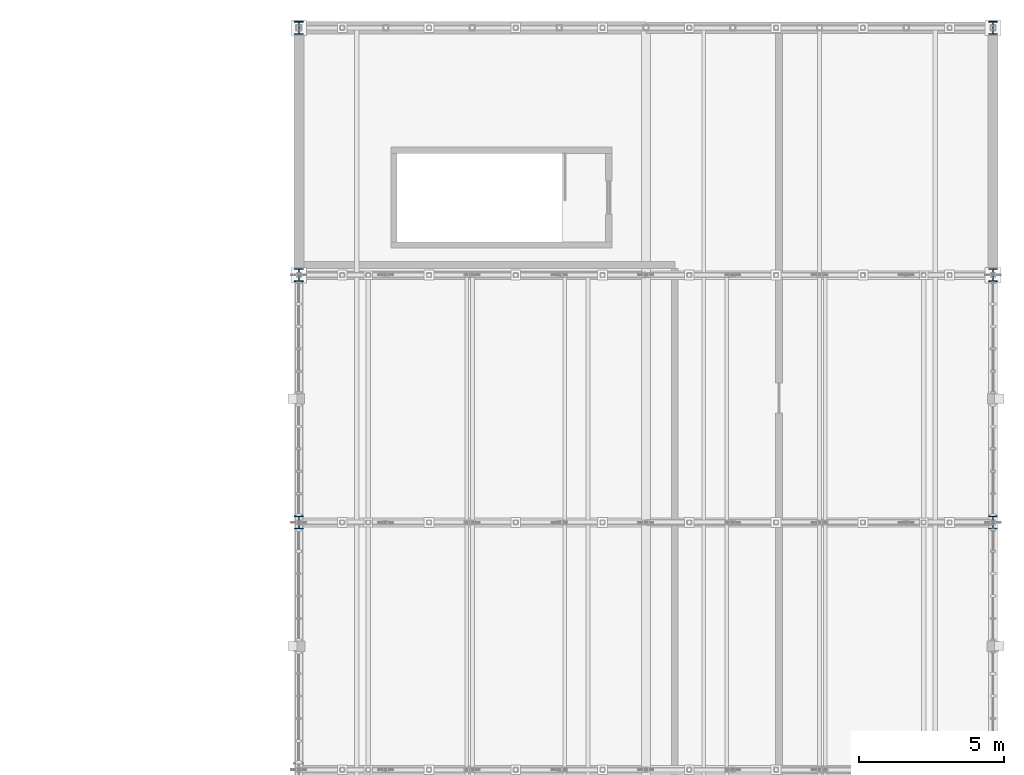
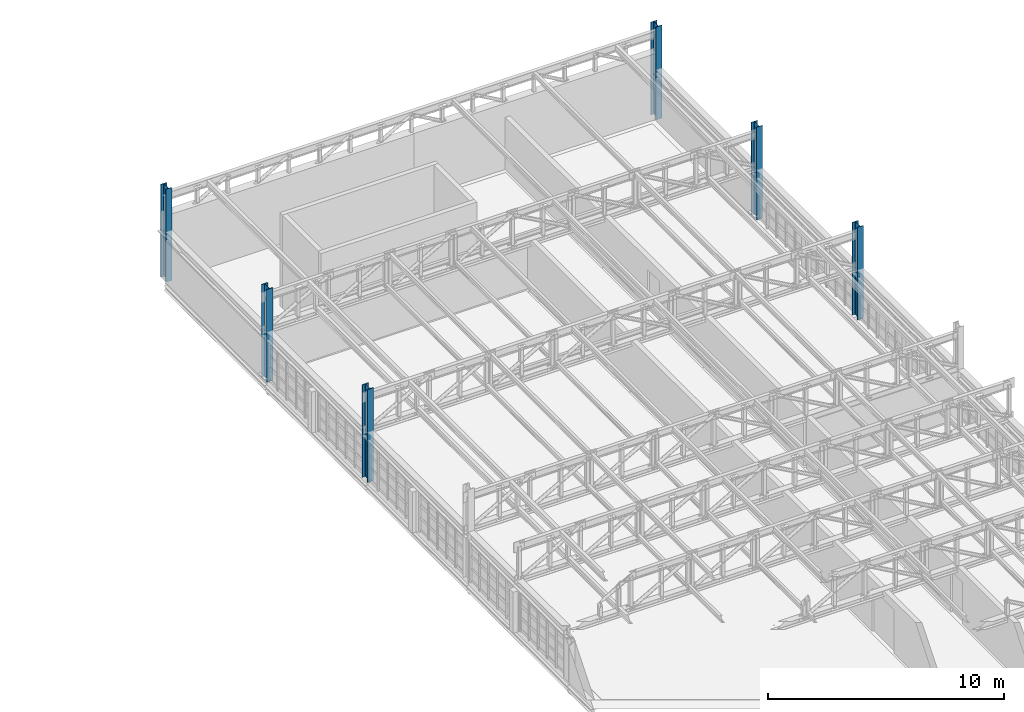
# One storey, part 10 of 128: 6 columns.
"""IFC4 building model written with IfcOpenShell, lengths in metres."""

import ifcopenshell
import ifcopenshell.guid

model = None  # the IFC model being written
_history = None  # IfcOwnerHistory: only IFC2X3 demands one
_inside = {}  # id of a spatial element -> (the spatial element, [elements in it])
_under = {}  # id of a project, library or spatial element -> (it, [spatial elements below it])
_declared = {}  # id of a project -> (the project, [libraries it declares])
_typed = {}  # id of a type object -> (the type object, [elements of that type])
_made_of = {}  # id of a material, layer set ... -> (it, [elements and type objects made of it])


def new_model(schema):
    """Start an empty IFC model of exactly this schema.

    Asked for "IFC4X3", IfcOpenShell would pick the latest addendum, in which some entities
    have other attributes; the version numbers below select the first issue.
    IFC2X3 requires an IfcOwnerHistory on every rooted entity: one is made here for all.
    """
    global model, _history
    if schema == "IFC4X3":
        model = ifcopenshell.file(schema_version=(4, 3, 0, 0))
    else:
        model = ifcopenshell.file(schema=schema)
    _inside.clear()
    _under.clear()
    _declared.clear()
    _typed.clear()
    _made_of.clear()
    _history = None
    if model.schema == "IFC2X3":
        org = make("IfcOrganization", Name="unknown")
        user = make(
            "IfcPersonAndOrganization",
            ThePerson=make("IfcPerson", FamilyName="unknown"),
            TheOrganization=org,
        )
        app = make(
            "IfcApplication",
            ApplicationDeveloper=org,
            Version="unknown",
            ApplicationFullName="unknown",
            ApplicationIdentifier="unknown",
        )
        _history = make(
            "IfcOwnerHistory",
            OwningUser=user,
            OwningApplication=app,
            ChangeAction="ADDED",
            CreationDate=0,
        )
    return model


def make(cls, **values):
    """One entity of the class cls with the attributes given. An attribute that is None is left unset."""
    return model.create_entity(
        cls, **{name: value for name, value in values.items() if value is not None}
    )


def rooted(cls, **values):
    """An entity with a GlobalId (a new one), such as an element, a storey or a relation."""
    return make(cls, GlobalId=ifcopenshell.guid.new(), OwnerHistory=_history, **values)


def si_unit(unit_type, name, prefix=None):
    """IfcSIUnit, for example si_unit("LENGTHUNIT", "METRE", prefix="MILLI")."""
    return make("IfcSIUnit", UnitType=unit_type, Prefix=prefix, Name=name)


def assignment(units):
    """IfcUnitAssignment: the units of a project."""
    return None if units is None else make("IfcUnitAssignment", Units=units)


def point(xyz):
    """IfcCartesianPoint."""
    return None if xyz is None else make("IfcCartesianPoint", Coordinates=xyz)


def direction(xyz):
    """IfcDirection."""
    return None if xyz is None else make("IfcDirection", DirectionRatios=xyz)


def frame(location, z_axis=None, x_axis=None):
    """IfcAxis2Placement3D, a coordinate frame: its origin and axes. An axis left out is left unset."""
    return make(
        "IfcAxis2Placement3D",
        Location=point(location),
        Axis=direction(z_axis),
        RefDirection=direction(x_axis),
    )


def frame_2d(location, x_axis=None):
    """IfcAxis2Placement2D, a coordinate frame in the plane: its origin and x axis."""
    return make(
        "IfcAxis2Placement2D", Location=point(location), RefDirection=direction(x_axis)
    )


def origin():
    """The frame at (0, 0, 0) with its axes left unset."""
    return frame((0.0, 0.0, 0.0))


def origin_2d():
    """The frame at (0, 0) in the plane with its x axis left unset."""
    return frame_2d((0.0, 0.0))


def place(relative_to, where):
    """IfcLocalPlacement: puts the frame where relative to a parent placement (None: the world)."""
    return make(
        "IfcLocalPlacement", PlacementRelTo=relative_to, RelativePlacement=where
    )


def context(
    kind, dimensions, precision=None, world=None, true_north=None, identifier=None
):
    """IfcGeometricRepresentationContext, for example the 3D "Model" context."""
    return make(
        "IfcGeometricRepresentationContext",
        ContextIdentifier=identifier,
        ContextType=kind,
        CoordinateSpaceDimension=dimensions,
        Precision=precision,
        WorldCoordinateSystem=world,
        TrueNorth=true_north,
    )


def subcontext(parent, identifier, kind, view, scale=None):
    """IfcGeometricRepresentationSubContext, for example "Body" below "Model"."""
    return make(
        "IfcGeometricRepresentationSubContext",
        ContextIdentifier=identifier,
        ContextType=kind,
        ParentContext=parent,
        TargetScale=scale,
        TargetView=view,
    )


def project(units=None, contexts=None):
    """IfcProject with its units and contexts."""
    return rooted(
        "IfcProject",
        Name="project",
        RepresentationContexts=contexts,
        UnitsInContext=assignment(units),
    )


def spatial(cls, under=None, at=None, **own):
    """A site, building, storey or space (cls), placed at a placement, below another one or the project."""
    s = rooted(cls, ObjectPlacement=at, **own)
    if under is not None:
        _under.setdefault(under.id(), (under, []))[1].append(s)
    return s


def profile(cls, at=None, kind="AREA", **sizes):
    """A parametric profile (cls). Its sizes go by their IFC names, for example OverallWidth=200.0."""
    return make(cls, ProfileType=kind, Position=at, **sizes)


def i_section(**sizes):
    """IfcIShapeProfileDef."""
    return profile("IfcIShapeProfileDef", **sizes)


def extrude(swept, where, along, depth):
    """IfcExtrudedAreaSolid: the profile swept, set in the frame where, extruded along a direction by depth."""
    return make(
        "IfcExtrudedAreaSolid",
        SweptArea=swept,
        Position=where,
        ExtrudedDirection=direction(along),
        Depth=depth,
    )


def shape(context_of_items, identifier, shape_type, items):
    """IfcShapeRepresentation: the items that make up one representation, for example the "Body"."""
    return make(
        "IfcShapeRepresentation",
        ContextOfItems=context_of_items,
        RepresentationIdentifier=identifier,
        RepresentationType=shape_type,
        Items=items,
    )


def material(Name=None, Category=None):
    """IfcMaterial."""
    return make("IfcMaterial", Name=Name, Category=Category)


def material_profile(
    of_material, cross_section, Name=None, Category=None, Priority=None
):
    """IfcMaterialProfile: a cross section and its material."""
    return make(
        "IfcMaterialProfile",
        Name=Name,
        Material=of_material,
        Profile=cross_section,
        Priority=Priority,
        Category=Category,
    )


def profile_set(profiles, Name=None, composite=None):
    """IfcMaterialProfileSet."""
    return make(
        "IfcMaterialProfileSet",
        Name=Name,
        MaterialProfiles=profiles,
        CompositeProfile=composite,
    )


def made_of(thing, what):
    """Note that an element or type object is made of a material, layer set ...; save() writes the relation."""
    if what is not None:
        _made_of.setdefault(what.id(), (what, []))[1].append(thing)
    return thing


def type_object(cls, material=None, **own):
    """A type object (cls), such as IfcWallType, which elements share."""
    return made_of(rooted(cls, **own), material)


def element(
    cls,
    number,
    at=None,
    inside=None,
    cuts=None,
    type_object=None,
    material=None,
    context=None,
    identifier="Body",
    shape_type=None,
    held_by="IfcProductDefinitionShape",
    body=None,
    shapes=None,
    **own,
):
    """One element of the class cls, such as IfcWall. Its Tag is "e" and its number.

    at: its placement. inside: the storey or other place that contains it. cuts: it is an
    opening in that element (IfcRelVoidsElement). A single representation is given by context,
    identifier, shape_type and body (its items); several are given by shapes. held_by: the class
    of the entity that holds the representations. save() writes the other relations.
    """
    e = rooted(cls, Tag="e%d" % number, ObjectPlacement=at, **own)
    if body is not None:
        shapes = [shape(context, identifier, shape_type, body)]
    if shapes is not None:
        e.Representation = make(held_by, Representations=shapes)
    if inside is not None:
        _inside.setdefault(inside.id(), (inside, []))[1].append(e)
    if cuts is not None:
        rooted(
            "IfcRelVoidsElement", RelatingBuildingElement=cuts, RelatedOpeningElement=e
        )
    if type_object is not None:
        _typed.setdefault(type_object.id(), (type_object, []))[1].append(e)
    return made_of(e, material)


def aggregate(whole, parts):
    """IfcRelAggregates: a whole, such as a stair, and the parts it consists of."""
    return rooted("IfcRelAggregates", RelatingObject=whole, RelatedObjects=parts)


def save(model, path):
    """Write the relations noted so far, then the file.

    IfcRelAggregates (storeys below a building ...), IfcRelContainedInSpatialStructure (elements
    in a storey), IfcRelDefinesByType, IfcRelAssociatesMaterial and IfcRelDeclares: one each for
    every whole, place, type object, material and project.
    """
    for whole, parts in _under.values():
        aggregate(whole, parts)
    for where, things in _inside.values():
        rooted(
            "IfcRelContainedInSpatialStructure",
            RelatedElements=things,
            RelatingStructure=where,
        )
    for kind, things in _typed.values():
        rooted("IfcRelDefinesByType", RelatedObjects=things, RelatingType=kind)
    for what, things in _made_of.values():
        rooted("IfcRelAssociatesMaterial", RelatedObjects=things, RelatingMaterial=what)
    for by, libraries in _declared.values():
        rooted("IfcRelDeclares", RelatingContext=by, RelatedDefinitions=libraries)
    model.write(path)


model = new_model("IFC4")

# Units and contexts
model_context = context("Model", 3, precision=1e-05, world=origin(), true_north=direction((0.0, 1.0)))
body_context = subcontext(model_context, "Body", "Model", "MODEL_VIEW")
ifc_project = project(units=[si_unit("LENGTHUNIT", "METRE"), si_unit("AREAUNIT", "SQUARE_METRE"), si_unit("VOLUMEUNIT", "CUBIC_METRE"), si_unit("PLANEANGLEUNIT", "RADIAN"), si_unit("MASSUNIT", "GRAM", prefix="KILO")], contexts=[model_context])

# Site, building, storey
site_placement = place(None, origin())
site = spatial("IfcSite", under=ifc_project, at=site_placement, CompositionType="ELEMENT")
building_placement = place(site_placement, origin())
building = spatial("IfcBuilding", under=site, at=building_placement, Name="Serraforn Aerial Cableway Station", CompositionType="ELEMENT")
storey_placement = place(building_placement, frame((0.0, 0.0, 9.0)))
storey = spatial("IfcBuildingStorey", under=building, at=storey_placement, Name="L02", CompositionType="ELEMENT", Elevation=9.0)

# Columns
ifc_material = material(Name="Steel S355J2", Category="steel")
ifc_material_profile = material_profile(ifc_material, i_section(OverallWidth=0.300048828125, OverallDepth=0.449951171875, WebThickness=0.013916015625, FlangeThickness=0.02587890625, FilletRadius=0.027099609375, at=origin_2d()), Name="HEB 450")
ifc_profile_set = profile_set([ifc_material_profile], Name="Steel S355J2")
column_type = type_object("IfcColumnType", Name="COL-ST-HEB450", PredefinedType="COLUMN", material=ifc_profile_set)
for number, where, z_axis, x_axis, name in (
    (1, (144.0, 96.89990234375, 0.0), (0.0, 0.0, 1.0), (1.0, 0.0, 0.0), "Column EG L02 19-M"),
    (2, (144.0, 105.449951171875, 0.0), (0.0, 0.0, 1.0), (1.0, 0.0, 0.0), "Column EG L02 19-N"),
    (3, (144.0, 114.0, 0.0), (0.0, 0.0, 1.0), (1.0, 0.0, 0.0), "Column EG L02 19-P"),
    (4, (168.0, 96.89990234375, 0.0), (0.0, 0.0, 1.0), (1.0, 0.0, 0.0), "Column EG L02 22-M"),
    (5, (168.0, 105.449951171875, 0.0), (0.0, 0.0, 1.0), (1.0, 0.0, 0.0), "Column EG L02 22-N"),
    (6, (168.0, 114.0, 0.0), (0.0, 0.0, 1.0), (1.0, 0.0, 0.0), "Column EG L02 22-P"),
):
    element("IfcColumn", number, at=place(storey_placement, frame(where, z_axis=z_axis, x_axis=x_axis)), inside=storey, type_object=column_type, Name=name, PredefinedType="COLUMN", context=body_context, shape_type="SweptSolid", body=[
        extrude(i_section(OverallWidth=0.300048828125, OverallDepth=0.449951171875, WebThickness=0.013916015625, FlangeThickness=0.02587890625, FilletRadius=0.027099609375, at=origin_2d()), origin(), (0.0, 0.0, 1.0), 4.800048828125),
    ])

save(model, "model.ifc")
